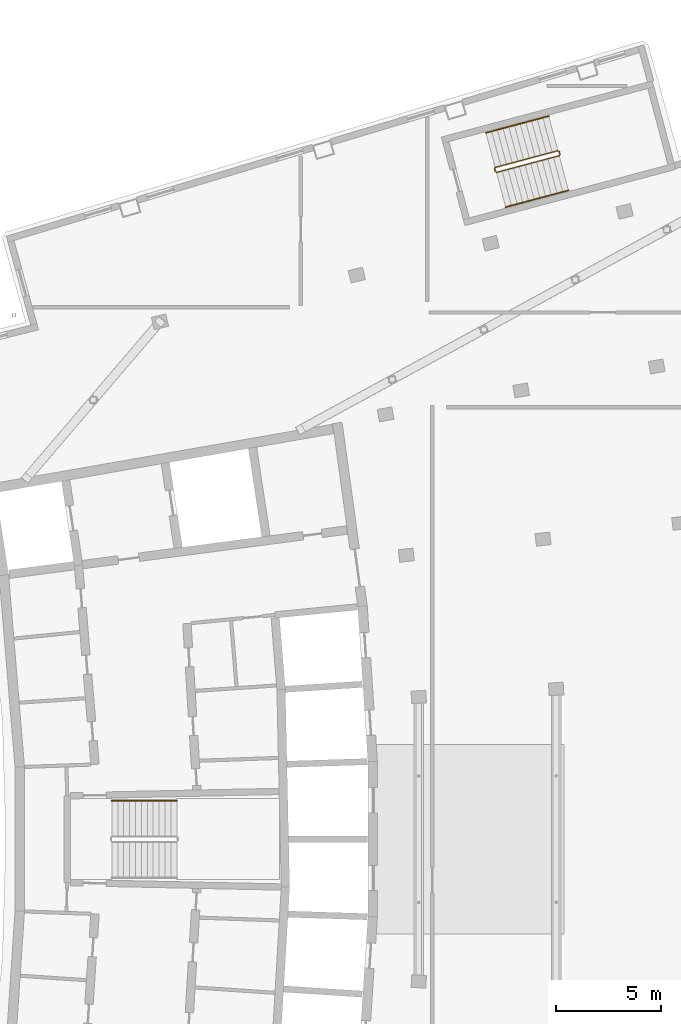
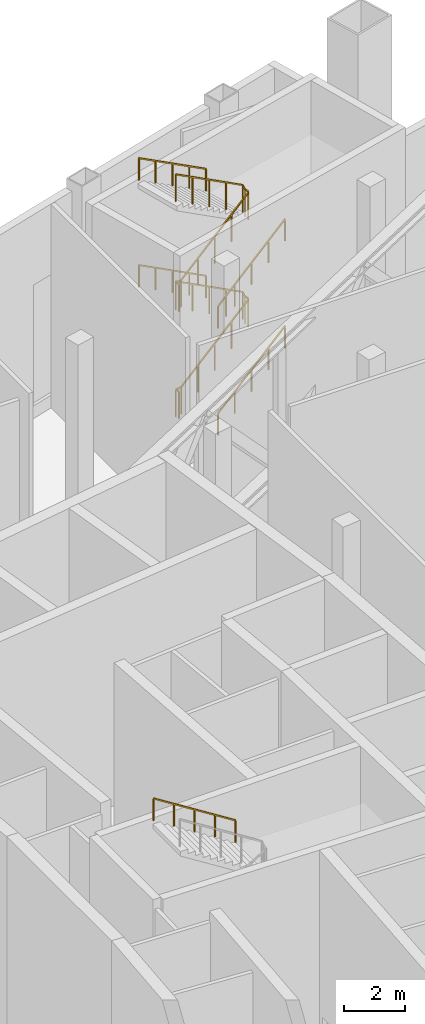
# One storey, part 24 of 25: 6 railings.
"""IFC4 building model written with IfcOpenShell, lengths in metres."""

from ifc_helpers import new_model, si_unit, direction, frame, origin, origin_2d, place, context, subcontext, project, spatial, rectangle, extrude, material, type_object, element, save


model = new_model("IFC4")

# Units and contexts
model_context = context("Model", 3, precision=1e-05, world=origin(), true_north=direction((0.0, 1.0)))
body_context = subcontext(model_context, "Body", "Model", "MODEL_VIEW")
ifc_project = project(units=[si_unit("LENGTHUNIT", "METRE"), si_unit("AREAUNIT", "SQUARE_METRE"), si_unit("VOLUMEUNIT", "CUBIC_METRE"), si_unit("PLANEANGLEUNIT", "RADIAN"), si_unit("MASSUNIT", "GRAM", prefix="KILO")], contexts=[model_context])

# Site, building, storey
site_placement = place(None, origin())
site = spatial("IfcSite", under=ifc_project, at=site_placement, CompositionType="ELEMENT")
building_placement = place(site_placement, origin())
building = spatial("IfcBuilding", under=site, at=building_placement, Name="Alderwake Tower", CompositionType="ELEMENT")
storey_placement = place(building_placement, frame((0.0, 0.0, 296.0)))
storey = spatial("IfcBuildingStorey", under=building, at=storey_placement, Name="L73", CompositionType="ELEMENT", Elevation=296.0)

# Railings
ifc_material_1 = material(Name="Stainless steel guard", Category="steel")
railing_type_1 = type_object("IfcRailingType", Name="Stair guard 1100", PredefinedType="GUARDRAIL", material=ifc_material_1)
railing_1_placement = place(storey_placement, frame((39.23291015625, 92.6806640625, 0.0)))
element("IfcRailing", 1, at=railing_1_placement, inside=storey, type_object=railing_type_1, Name="L73 ST-A stair guard 1", PredefinedType="GUARDRAIL", context=body_context, shape_type="SweptSolid", body=[
    extrude(rectangle(XDim=0.048095703125, YDim=0.048095703125, at=origin_2d()), frame((0.0, 0.0, 1.076171875), z_axis=(-0.257055032184, 0.966396766566, 0.0), x_axis=(-0.966396766566, -0.257055032184, 0.0)), (0.0, 0.0, 1.0), 0.150146484375),
    extrude(rectangle(XDim=0.048095703125, YDim=0.048095703125, at=origin_2d()), frame((-0.03857421875, 0.14501953125, 1.076171875), z_axis=(0.367437030706, -0.663902116606, 0.651324809931), x_axis=(0.874937996095, 0.484234966715, 0.0)), (0.0, 0.0, 1.0), 0.271728515625),
    extrude(rectangle(XDim=0.048095703125, YDim=0.048095703125, at=origin_2d()), frame((0.061279296875, -0.035400390625, 1.2529296875), z_axis=(0.816662572609, 0.217531039644, 0.534548865205), x_axis=(-0.257391278765, 0.966307264598, 0.0)), (0.0, 0.0, 1.0), 3.644287109375),
    extrude(rectangle(XDim=0.048095703125, YDim=0.048095703125, at=origin_2d()), frame((3.037353515625, 0.75732421875, 3.201171875), z_axis=(0.502800015978, 0.864402767194, 0.0), x_axis=(-0.864402767194, 0.502800015978, 0.0)), (0.0, 0.0, 1.0), 0.07080078125),
    extrude(rectangle(XDim=0.048095703125, YDim=0.048095703125, at=origin_2d()), frame((3.072998046875, 0.818603515625, 3.201171875), z_axis=(-0.258573505099, 0.965991585088, 0.0), x_axis=(-0.965991585088, -0.258573505099, 0.0)), (0.0, 0.0, 1.0), 0.150146484375),
    extrude(rectangle(XDim=0.048095703125, YDim=0.048095703125, at=origin_2d()), frame((3.0341796875, 0.963623046875, 3.201171875), z_axis=(-0.320315448229, 0.185782959973, 0.928914799866), x_axis=(-0.501718089772, -0.865031189262, 0.0)), (0.0, 0.0, 1.0), 0.1904296875),
    extrude(rectangle(XDim=0.048095703125, YDim=0.048095703125, at=origin_2d()), frame((2.97314453125, 0.9990234375, 3.3779296875), z_axis=(-0.816684884106, -0.217519138601, 0.534519620234), x_axis=(0.25737156414, -0.966312515686, 0.0)), (0.0, 0.0, 1.0), 3.644287109375),
    extrude(rectangle(XDim=0.048095703125, YDim=0.048095703125, at=origin_2d()), frame((-0.003173828125, 0.206298828125, 5.326171875), z_axis=(0.015382795043, -0.999881677808, 0.0), x_axis=(0.999881677808, 0.015382795043, 0.0)), (0.0, 0.0, 1.0), 0.206298828125),
    extrude(rectangle(XDim=0.048095703125, YDim=0.048095703125, at=origin_2d()), frame((0.0, 0.0, 5.326171875), z_axis=(-0.257055032184, 0.966396766566, 0.0), x_axis=(-0.966396766566, -0.257055032184, 0.0)), (0.0, 0.0, 1.0), 0.150146484375),
    extrude(rectangle(XDim=0.048095703125, YDim=0.048095703125, at=origin_2d()), frame((-0.03857421875, 0.14501953125, 5.326171875), z_axis=(0.367437030706, -0.663902116606, 0.651324809931), x_axis=(0.874937996095, 0.484234966715, 0.0)), (0.0, 0.0, 1.0), 0.271728515625),
    extrude(rectangle(XDim=0.048095703125, YDim=0.048095703125, at=origin_2d()), frame((0.061279296875, -0.035400390625, 5.5029296875), z_axis=(0.816662572609, 0.217531039644, 0.534548865205), x_axis=(-0.257391278765, 0.966307264598, 0.0)), (0.0, 0.0, 1.0), 3.644287109375),
    extrude(rectangle(XDim=0.048095703125, YDim=0.048095703125, at=origin_2d()), frame((3.037353515625, 0.75732421875, 7.451171875), z_axis=(0.502800015978, 0.864402767194, 0.0), x_axis=(-0.864402767194, 0.502800015978, 0.0)), (0.0, 0.0, 1.0), 0.07080078125),
    extrude(rectangle(XDim=0.048095703125, YDim=0.048095703125, at=origin_2d()), frame((3.072998046875, 0.818603515625, 7.451171875), z_axis=(-0.258573505099, 0.965991585088, 0.0), x_axis=(-0.965991585088, -0.258573505099, 0.0)), (0.0, 0.0, 1.0), 0.150146484375),
    extrude(rectangle(XDim=0.048095703125, YDim=0.048095703125, at=origin_2d()), frame((3.0341796875, 0.963623046875, 7.451171875), z_axis=(-0.320315448229, 0.185782959973, 0.928914799866), x_axis=(-0.501718089772, -0.865031189262, 0.0)), (0.0, 0.0, 1.0), 0.1904296875),
    extrude(rectangle(XDim=0.048095703125, YDim=0.048095703125, at=origin_2d()), frame((2.97314453125, 0.9990234375, 7.6279296875), z_axis=(-0.816684884106, -0.217519138601, 0.534519620234), x_axis=(0.25737156414, -0.966312515686, 0.0)), (0.0, 0.0, 1.0), 3.644287109375),
    extrude(rectangle(XDim=0.0419921875, YDim=0.0419921875, at=origin_2d()), frame((0.0, 0.0, 0.0), z_axis=(0.0, 0.0, 1.0), x_axis=(-0.257055032184, 0.966396766566, 0.0)), (0.0, 0.0, 1.0), 1.052001953125),
    extrude(rectangle(XDim=0.0419921875, YDim=0.0419921875, at=origin_2d()), frame((-0.03857421875, 0.14501953125, 0.0), z_axis=(0.0, 0.0, 1.0), x_axis=(0.484234966715, -0.874937996095, 0.0)), (0.0, 0.0, 1.0), 1.052001953125),
    extrude(rectangle(XDim=0.0419921875, YDim=0.0419921875, at=origin_2d()), frame((0.061279296875, -0.035400390625, 0.177001953125), z_axis=(0.0, 0.0, 1.0), x_axis=(0.966307264598, 0.257391278765, 0.0)), (0.0, 0.0, 1.0), 1.052001953125),
    extrude(rectangle(XDim=0.0419921875, YDim=0.0419921875, at=origin_2d()), frame((0.80517578125, 0.162841796875, 0.6640625), z_axis=(0.0, 0.0, 1.0), x_axis=(0.966307264598, 0.257391278765, 0.0)), (0.0, 0.0, 1.0), 1.052001953125),
    extrude(rectangle(XDim=0.0419921875, YDim=0.0419921875, at=origin_2d()), frame((1.54931640625, 0.36083984375, 1.15087890625), z_axis=(0.0, 0.0, 1.0), x_axis=(0.966307264598, 0.257391278765, 0.0)), (0.0, 0.0, 1.0), 1.052001953125),
    extrude(rectangle(XDim=0.0419921875, YDim=0.0419921875, at=origin_2d()), frame((2.29345703125, 0.55908203125, 1.637939453125), z_axis=(0.0, 0.0, 1.0), x_axis=(0.966307264598, 0.257391278765, 0.0)), (0.0, 0.0, 1.0), 1.052001953125),
    extrude(rectangle(XDim=0.0419921875, YDim=0.0419921875, at=origin_2d()), frame((3.037353515625, 0.75732421875, 2.125), z_axis=(0.0, 0.0, 1.0), x_axis=(0.502800015978, 0.864402767194, 0.0)), (0.0, 0.0, 1.0), 1.052001953125),
    extrude(rectangle(XDim=0.0419921875, YDim=0.0419921875, at=origin_2d()), frame((3.072998046875, 0.818603515625, 2.125), z_axis=(0.0, 0.0, 1.0), x_axis=(-0.258573505099, 0.965991585088, 0.0)), (0.0, 0.0, 1.0), 1.052001953125),
    extrude(rectangle(XDim=0.0419921875, YDim=0.0419921875, at=origin_2d()), frame((3.0341796875, 0.963623046875, 2.125), z_axis=(0.0, 0.0, 1.0), x_axis=(-0.865031189262, 0.501718089772, 0.0)), (0.0, 0.0, 1.0), 1.052001953125),
    extrude(rectangle(XDim=0.0419921875, YDim=0.0419921875, at=origin_2d()), frame((2.97314453125, 0.9990234375, 2.302001953125), z_axis=(0.0, 0.0, 1.0), x_axis=(-0.966312515686, -0.25737156414, 0.0)), (0.0, 0.0, 1.0), 1.052001953125),
    extrude(rectangle(XDim=0.0419921875, YDim=0.0419921875, at=origin_2d()), frame((2.22900390625, 0.80078125, 2.7890625), z_axis=(0.0, 0.0, 1.0), x_axis=(-0.966312515686, -0.25737156414, 0.0)), (0.0, 0.0, 1.0), 1.052001953125),
    extrude(rectangle(XDim=0.0419921875, YDim=0.0419921875, at=origin_2d()), frame((1.48486328125, 0.6025390625, 3.27587890625), z_axis=(0.0, 0.0, 1.0), x_axis=(-0.966312515686, -0.25737156414, 0.0)), (0.0, 0.0, 1.0), 1.052001953125),
    extrude(rectangle(XDim=0.0419921875, YDim=0.0419921875, at=origin_2d()), frame((0.740966796875, 0.404541015625, 3.762939453125), z_axis=(0.0, 0.0, 1.0), x_axis=(-0.966312515686, -0.25737156414, 0.0)), (0.0, 0.0, 1.0), 1.052001953125),
    extrude(rectangle(XDim=0.0419921875, YDim=0.0419921875, at=origin_2d()), frame((-0.003173828125, 0.206298828125, 4.25), z_axis=(0.0, 0.0, 1.0), x_axis=(0.015382795043, -0.999881677808, 0.0)), (0.0, 0.0, 1.0), 1.052001953125),
    extrude(rectangle(XDim=0.0419921875, YDim=0.0419921875, at=origin_2d()), frame((0.0, 0.0, 4.25), z_axis=(0.0, 0.0, 1.0), x_axis=(-0.257055032184, 0.966396766566, 0.0)), (0.0, 0.0, 1.0), 1.052001953125),
    extrude(rectangle(XDim=0.0419921875, YDim=0.0419921875, at=origin_2d()), frame((-0.03857421875, 0.14501953125, 4.25), z_axis=(0.0, 0.0, 1.0), x_axis=(0.484234966715, -0.874937996095, 0.0)), (0.0, 0.0, 1.0), 1.052001953125),
    extrude(rectangle(XDim=0.0419921875, YDim=0.0419921875, at=origin_2d()), frame((0.061279296875, -0.035400390625, 4.427001953125), z_axis=(0.0, 0.0, 1.0), x_axis=(0.966307264598, 0.257391278765, 0.0)), (0.0, 0.0, 1.0), 1.052001953125),
    extrude(rectangle(XDim=0.0419921875, YDim=0.0419921875, at=origin_2d()), frame((0.80517578125, 0.162841796875, 4.9140625), z_axis=(0.0, 0.0, 1.0), x_axis=(0.966307264598, 0.257391278765, 0.0)), (0.0, 0.0, 1.0), 1.052001953125),
    extrude(rectangle(XDim=0.0419921875, YDim=0.0419921875, at=origin_2d()), frame((1.54931640625, 0.36083984375, 5.40087890625), z_axis=(0.0, 0.0, 1.0), x_axis=(0.966307264598, 0.257391278765, 0.0)), (0.0, 0.0, 1.0), 1.052001953125),
    extrude(rectangle(XDim=0.0419921875, YDim=0.0419921875, at=origin_2d()), frame((2.29345703125, 0.55908203125, 5.887939453125), z_axis=(0.0, 0.0, 1.0), x_axis=(0.966307264598, 0.257391278765, 0.0)), (0.0, 0.0, 1.0), 1.052001953125),
    extrude(rectangle(XDim=0.0419921875, YDim=0.0419921875, at=origin_2d()), frame((3.037353515625, 0.75732421875, 6.375), z_axis=(0.0, 0.0, 1.0), x_axis=(0.502800015978, 0.864402767194, 0.0)), (0.0, 0.0, 1.0), 1.052001953125),
    extrude(rectangle(XDim=0.0419921875, YDim=0.0419921875, at=origin_2d()), frame((3.072998046875, 0.818603515625, 6.375), z_axis=(0.0, 0.0, 1.0), x_axis=(-0.258573505099, 0.965991585088, 0.0)), (0.0, 0.0, 1.0), 1.052001953125),
    extrude(rectangle(XDim=0.0419921875, YDim=0.0419921875, at=origin_2d()), frame((3.0341796875, 0.963623046875, 6.375), z_axis=(0.0, 0.0, 1.0), x_axis=(-0.865031189262, 0.501718089772, 0.0)), (0.0, 0.0, 1.0), 1.052001953125),
    extrude(rectangle(XDim=0.0419921875, YDim=0.0419921875, at=origin_2d()), frame((2.97314453125, 0.9990234375, 6.552001953125), z_axis=(0.0, 0.0, 1.0), x_axis=(-0.966312515686, -0.25737156414, 0.0)), (0.0, 0.0, 1.0), 1.052001953125),
    extrude(rectangle(XDim=0.0419921875, YDim=0.0419921875, at=origin_2d()), frame((2.22900390625, 0.80078125, 7.0390625), z_axis=(0.0, 0.0, 1.0), x_axis=(-0.966312515686, -0.25737156414, 0.0)), (0.0, 0.0, 1.0), 1.052001953125),
    extrude(rectangle(XDim=0.0419921875, YDim=0.0419921875, at=origin_2d()), frame((1.48486328125, 0.6025390625, 7.52587890625), z_axis=(0.0, 0.0, 1.0), x_axis=(-0.966312515686, -0.25737156414, 0.0)), (0.0, 0.0, 1.0), 1.052001953125),
    extrude(rectangle(XDim=0.0419921875, YDim=0.0419921875, at=origin_2d()), frame((0.740966796875, 0.404541015625, 8.012939453125), z_axis=(0.0, 0.0, 1.0), x_axis=(-0.966312515686, -0.25737156414, 0.0)), (0.0, 0.0, 1.0), 1.052001953125),
    extrude(rectangle(XDim=0.0419921875, YDim=0.0419921875, at=origin_2d()), frame((-0.003173828125, 0.206298828125, 8.5), z_axis=(0.0, 0.0, 1.0), x_axis=(-0.966312515686, -0.25737156414, 0.0)), (0.0, 0.0, 1.0), 1.052001953125),
])
ifc_material_2 = material(Name="Stainless steel handrail", Category="steel")
railing_type_2 = type_object("IfcRailingType", Name="Stair handrail 900", PredefinedType="HANDRAIL", material=ifc_material_2)
railing_2_placement = place(storey_placement, frame((24.1201171875, 62.824951171875, 6.552001953125)))
element("IfcRailing", 2, at=railing_2_placement, inside=storey, type_object=railing_type_2, Name="L73 ST-B stair handrail 4", PredefinedType="HANDRAIL", context=body_context, shape_type="SweptSolid", body=[
    extrude(rectangle(XDim=0.048095703125, YDim=0.048095703125, at=origin_2d()), frame((0.0, 0.0, 0.8759765625), z_axis=(-0.845156040024, 0.0, 0.534519661014), x_axis=(0.0, -1.0, 0.0)), (0.0, 0.0, 1.0), 3.644287109375),
    extrude(rectangle(XDim=0.0419921875, YDim=0.0419921875, at=origin_2d()), frame((0.0, 0.0, 0.0), z_axis=(0.0, 0.0, 1.0), x_axis=(-1.0, 0.0, 0.0)), (0.0, 0.0, 1.0), 0.851806640625),
    extrude(rectangle(XDim=0.0419921875, YDim=0.0419921875, at=origin_2d()), frame((-0.77001953125, 0.0, 0.487060546875), z_axis=(0.0, 0.0, 1.0), x_axis=(-1.0, 0.0, 0.0)), (0.0, 0.0, 1.0), 0.851806640625),
    extrude(rectangle(XDim=0.0419921875, YDim=0.0419921875, at=origin_2d()), frame((-1.5400390625, 0.0, 0.97412109375), z_axis=(0.0, 0.0, 1.0), x_axis=(-1.0, 0.0, 0.0)), (0.0, 0.0, 1.0), 0.851806640625),
    extrude(rectangle(XDim=0.0419921875, YDim=0.0419921875, at=origin_2d()), frame((-2.31005859375, 0.0, 1.4609375), z_axis=(0.0, 0.0, 1.0), x_axis=(-1.0, 0.0, 0.0)), (0.0, 0.0, 1.0), 0.851806640625),
    extrude(rectangle(XDim=0.0419921875, YDim=0.0419921875, at=origin_2d()), frame((-3.080078125, 0.0, 1.947998046875), z_axis=(0.0, 0.0, 1.0), x_axis=(-1.0, 0.0, 0.0)), (0.0, 0.0, 1.0), 0.851806640625),
])
railing_3_placement = place(storey_placement, frame((39.731689453125, 91.002685546875, 0.177001953125)))
element("IfcRailing", 3, at=railing_3_placement, inside=storey, type_object=railing_type_2, Name="L73 ST-A stair handrail 1", PredefinedType="HANDRAIL", context=body_context, shape_type="SweptSolid", body=[
    extrude(rectangle(XDim=0.048095703125, YDim=0.048095703125, at=origin_2d()), frame((0.0, 0.0, 0.8759765625), z_axis=(0.816684884106, 0.217519138601, 0.534519620234), x_axis=(-0.25737156414, 0.966312515686, 0.0)), (0.0, 0.0, 1.0), 3.644287109375),
    extrude(rectangle(XDim=0.0419921875, YDim=0.0419921875, at=origin_2d()), frame((0.0, 0.0, 0.0), z_axis=(0.0, 0.0, 1.0), x_axis=(0.966312515686, 0.25737156414, 0.0)), (0.0, 0.0, 1.0), 0.851806640625),
    extrude(rectangle(XDim=0.0419921875, YDim=0.0419921875, at=origin_2d()), frame((0.744140625, 0.1982421875, 0.487060546875), z_axis=(0.0, 0.0, 1.0), x_axis=(0.966312515686, 0.25737156414, 0.0)), (0.0, 0.0, 1.0), 0.851806640625),
    extrude(rectangle(XDim=0.0419921875, YDim=0.0419921875, at=origin_2d()), frame((1.48828125, 0.396484375, 0.97412109375), z_axis=(0.0, 0.0, 1.0), x_axis=(0.966312515686, 0.25737156414, 0.0)), (0.0, 0.0, 1.0), 0.851806640625),
    extrude(rectangle(XDim=0.0419921875, YDim=0.0419921875, at=origin_2d()), frame((2.232177734375, 0.594482421875, 1.4609375), z_axis=(0.0, 0.0, 1.0), x_axis=(0.966312515686, 0.25737156414, 0.0)), (0.0, 0.0, 1.0), 0.851806640625),
    extrude(rectangle(XDim=0.0419921875, YDim=0.0419921875, at=origin_2d()), frame((2.976318359375, 0.792724609375, 1.947998046875), z_axis=(0.0, 0.0, 1.0), x_axis=(0.966312515686, 0.25737156414, 0.0)), (0.0, 0.0, 1.0), 0.851806640625),
])
railing_4_placement = place(storey_placement, frame((41.7685546875, 95.322265625, 2.302001953125)))
element("IfcRailing", 4, at=railing_4_placement, inside=storey, type_object=railing_type_2, Name="L73 ST-A stair handrail 2", PredefinedType="HANDRAIL", context=body_context, shape_type="SweptSolid", body=[
    extrude(rectangle(XDim=0.048095703125, YDim=0.048095703125, at=origin_2d()), frame((0.0, 0.0, 0.8759765625), z_axis=(-0.816684884106, -0.217519138601, 0.534519620234), x_axis=(0.25737156414, -0.966312515686, 0.0)), (0.0, 0.0, 1.0), 3.644287109375),
    extrude(rectangle(XDim=0.0419921875, YDim=0.0419921875, at=origin_2d()), frame((0.0, 0.0, 0.0), z_axis=(0.0, 0.0, 1.0), x_axis=(-0.966312515686, -0.25737156414, 0.0)), (0.0, 0.0, 1.0), 0.851806640625),
    extrude(rectangle(XDim=0.0419921875, YDim=0.0419921875, at=origin_2d()), frame((-0.744140625, -0.1982421875, 0.487060546875), z_axis=(0.0, 0.0, 1.0), x_axis=(-0.966312515686, -0.25737156414, 0.0)), (0.0, 0.0, 1.0), 0.851806640625),
    extrude(rectangle(XDim=0.0419921875, YDim=0.0419921875, at=origin_2d()), frame((-1.48828125, -0.396484375, 0.97412109375), z_axis=(0.0, 0.0, 1.0), x_axis=(-0.966312515686, -0.25737156414, 0.0)), (0.0, 0.0, 1.0), 0.851806640625),
    extrude(rectangle(XDim=0.0419921875, YDim=0.0419921875, at=origin_2d()), frame((-2.232177734375, -0.594482421875, 1.4609375), z_axis=(0.0, 0.0, 1.0), x_axis=(-0.966312515686, -0.25737156414, 0.0)), (0.0, 0.0, 1.0), 0.851806640625),
    extrude(rectangle(XDim=0.0419921875, YDim=0.0419921875, at=origin_2d()), frame((-2.976318359375, -0.792724609375, 1.947998046875), z_axis=(0.0, 0.0, 1.0), x_axis=(-0.966312515686, -0.25737156414, 0.0)), (0.0, 0.0, 1.0), 0.851806640625),
])
railing_5_placement = place(storey_placement, frame((39.731689453125, 91.002685546875, 4.427001953125)))
element("IfcRailing", 5, at=railing_5_placement, inside=storey, type_object=railing_type_2, Name="L73 ST-A stair handrail 3", PredefinedType="HANDRAIL", context=body_context, shape_type="SweptSolid", body=[
    extrude(rectangle(XDim=0.048095703125, YDim=0.048095703125, at=origin_2d()), frame((0.0, 0.0, 0.8759765625), z_axis=(0.816684884106, 0.217519138601, 0.534519620234), x_axis=(-0.25737156414, 0.966312515686, 0.0)), (0.0, 0.0, 1.0), 3.644287109375),
    extrude(rectangle(XDim=0.0419921875, YDim=0.0419921875, at=origin_2d()), frame((0.0, 0.0, 0.0), z_axis=(0.0, 0.0, 1.0), x_axis=(0.966312515686, 0.25737156414, 0.0)), (0.0, 0.0, 1.0), 0.851806640625),
    extrude(rectangle(XDim=0.0419921875, YDim=0.0419921875, at=origin_2d()), frame((0.744140625, 0.1982421875, 0.487060546875), z_axis=(0.0, 0.0, 1.0), x_axis=(0.966312515686, 0.25737156414, 0.0)), (0.0, 0.0, 1.0), 0.851806640625),
    extrude(rectangle(XDim=0.0419921875, YDim=0.0419921875, at=origin_2d()), frame((1.48828125, 0.396484375, 0.97412109375), z_axis=(0.0, 0.0, 1.0), x_axis=(0.966312515686, 0.25737156414, 0.0)), (0.0, 0.0, 1.0), 0.851806640625),
    extrude(rectangle(XDim=0.0419921875, YDim=0.0419921875, at=origin_2d()), frame((2.232177734375, 0.594482421875, 1.4609375), z_axis=(0.0, 0.0, 1.0), x_axis=(0.966312515686, 0.25737156414, 0.0)), (0.0, 0.0, 1.0), 0.851806640625),
    extrude(rectangle(XDim=0.0419921875, YDim=0.0419921875, at=origin_2d()), frame((2.976318359375, 0.792724609375, 1.947998046875), z_axis=(0.0, 0.0, 1.0), x_axis=(0.966312515686, 0.25737156414, 0.0)), (0.0, 0.0, 1.0), 0.851806640625),
])
railing_6_placement = place(storey_placement, frame((41.7685546875, 95.322265625, 6.552001953125)))
element("IfcRailing", 6, at=railing_6_placement, inside=storey, type_object=railing_type_2, Name="L73 ST-A stair handrail 4", PredefinedType="HANDRAIL", context=body_context, shape_type="SweptSolid", body=[
    extrude(rectangle(XDim=0.048095703125, YDim=0.048095703125, at=origin_2d()), frame((0.0, 0.0, 0.8759765625), z_axis=(-0.816684884106, -0.217519138601, 0.534519620234), x_axis=(0.25737156414, -0.966312515686, 0.0)), (0.0, 0.0, 1.0), 3.644287109375),
    extrude(rectangle(XDim=0.0419921875, YDim=0.0419921875, at=origin_2d()), frame((0.0, 0.0, 0.0), z_axis=(0.0, 0.0, 1.0), x_axis=(-0.966312515686, -0.25737156414, 0.0)), (0.0, 0.0, 1.0), 0.851806640625),
    extrude(rectangle(XDim=0.0419921875, YDim=0.0419921875, at=origin_2d()), frame((-0.744140625, -0.1982421875, 0.487060546875), z_axis=(0.0, 0.0, 1.0), x_axis=(-0.966312515686, -0.25737156414, 0.0)), (0.0, 0.0, 1.0), 0.851806640625),
    extrude(rectangle(XDim=0.0419921875, YDim=0.0419921875, at=origin_2d()), frame((-1.48828125, -0.396484375, 0.97412109375), z_axis=(0.0, 0.0, 1.0), x_axis=(-0.966312515686, -0.25737156414, 0.0)), (0.0, 0.0, 1.0), 0.851806640625),
    extrude(rectangle(XDim=0.0419921875, YDim=0.0419921875, at=origin_2d()), frame((-2.232177734375, -0.594482421875, 1.4609375), z_axis=(0.0, 0.0, 1.0), x_axis=(-0.966312515686, -0.25737156414, 0.0)), (0.0, 0.0, 1.0), 0.851806640625),
    extrude(rectangle(XDim=0.0419921875, YDim=0.0419921875, at=origin_2d()), frame((-2.976318359375, -0.792724609375, 1.947998046875), z_axis=(0.0, 0.0, 1.0), x_axis=(-0.966312515686, -0.25737156414, 0.0)), (0.0, 0.0, 1.0), 0.851806640625),
])

save(model, "model.ifc")
